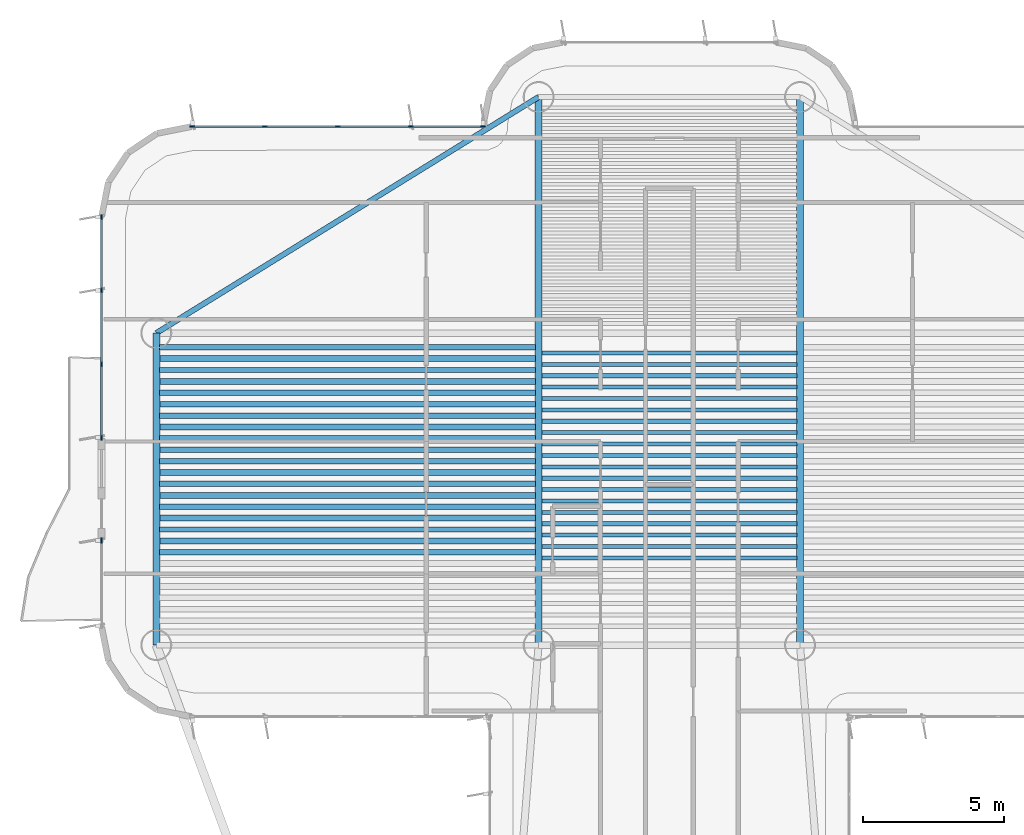
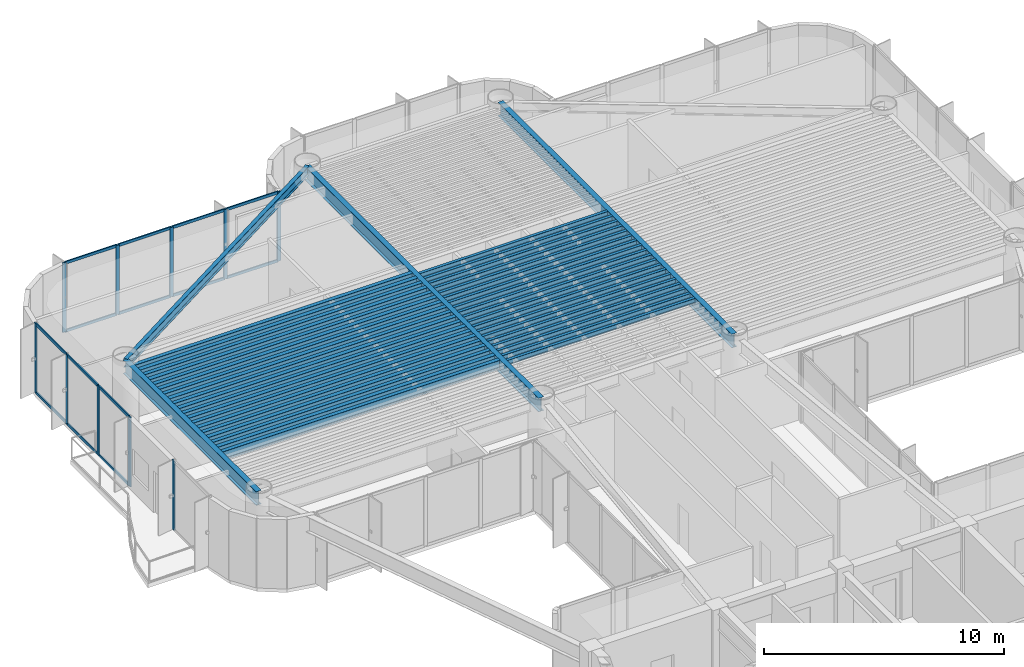
# One storey, part 5 of 14: 42 beams, 24 members, 3 elements without a shape of their own.
"""IFC4 building model written with IfcOpenShell, lengths in metres."""

from ifc_helpers import new_model, si_unit, direction, frame, origin, origin_2d, place, context, subcontext, project, spatial, rectangle, i_section, extrude, source, transform, mapped, material, layer, layer_set, material_profile, profile_set, type_object, element, aggregate, save


model = new_model("IFC4")

# Units and contexts
model_context = context("Model", 3, precision=1e-05, world=origin(), true_north=direction((0.0, 1.0)))
body_context = subcontext(model_context, "Body", "Model", "MODEL_VIEW")
ifc_project = project(units=[si_unit("LENGTHUNIT", "METRE"), si_unit("AREAUNIT", "SQUARE_METRE"), si_unit("VOLUMEUNIT", "CUBIC_METRE"), si_unit("PLANEANGLEUNIT", "RADIAN"), si_unit("MASSUNIT", "GRAM", prefix="KILO")], contexts=[model_context])

# Site, building, storey
site_placement = place(None, origin())
site = spatial("IfcSite", under=ifc_project, at=site_placement, CompositionType="ELEMENT")
building_placement = place(site_placement, origin())
building = spatial("IfcBuilding", under=site, at=building_placement, Name="Brelvock Crest Care Tower", CompositionType="ELEMENT")
storey_placement = place(building_placement, frame((0.0, 0.0, 198.0)))
storey = spatial("IfcBuildingStorey", under=building, at=storey_placement, Name="L50", CompositionType="ELEMENT", Elevation=198.0)

# Beams
ifc_material_1 = material(Name="Steel Grade 350", Category="steel")
ifc_material_profile_1 = material_profile(ifc_material_1, i_section(OverallWidth=0.14599609375, OverallDepth=0.256103515625, WebThickness=0.00634765625, FlangeThickness=0.010986328125, FilletRadius=0.0087890625, at=origin_2d()), Name="250UB37.3")
ifc_profile_set_1 = profile_set([ifc_material_profile_1], Name="Steel Grade 350")
beam_type_1 = type_object("IfcBeamType", Name="BM-J3", PredefinedType="JOIST", material=ifc_profile_set_1)
shared_shape_1 = source(origin(), body_context, "Body", "SweptSolid", [
    extrude(i_section(OverallWidth=0.14599609375, OverallDepth=0.256103515625, WebThickness=0.00634765625, FlangeThickness=0.010986328125, FilletRadius=0.0087890625, at=origin_2d()), origin(), (0.0, 0.0, 1.0), 9.06982421875),
])
for number, where, z_axis, x_axis, name in (
    (1, (31.465087890625, 38.0498046875, 3.402099609375), (1.0, 0.0, 0.0), (0.0, 1.0, 0.0), "BM-JH-L50-7"),
    (2, (31.465087890625, 38.454833984375, 3.402099609375), (1.0, 0.0, 0.0), (0.0, 1.0, 0.0), "BM-JH-L50-8"),
    (3, (31.465087890625, 38.860107421875, 3.402099609375), (1.0, 0.0, 0.0), (0.0, 1.0, 0.0), "BM-JH-L50-9"),
    (4, (31.465087890625, 39.26513671875, 3.402099609375), (1.0, 0.0, 0.0), (0.0, 1.0, 0.0), "BM-JH-L50-10"),
    (5, (31.465087890625, 39.67041015625, 3.402099609375), (1.0, 0.0, 0.0), (0.0, 1.0, 0.0), "BM-JH-L50-11"),
    (6, (31.465087890625, 40.075439453125, 3.402099609375), (1.0, 0.0, 0.0), (0.0, 1.0, 0.0), "BM-JH-L50-12"),
    (7, (31.465087890625, 40.480712890625, 3.402099609375), (1.0, 0.0, 0.0), (0.0, 1.0, 0.0), "BM-JH-L50-13"),
    (8, (31.465087890625, 40.8857421875, 3.402099609375), (1.0, 0.0, 0.0), (0.0, 1.0, 0.0), "BM-JH-L50-14"),
    (9, (31.465087890625, 41.291015625, 3.402099609375), (1.0, 0.0, 0.0), (0.0, 1.0, 0.0), "BM-JH-L50-15"),
    (10, (31.465087890625, 41.696044921875, 3.402099609375), (1.0, 0.0, 0.0), (0.0, 1.0, 0.0), "BM-JH-L50-16"),
    (11, (31.465087890625, 42.101318359375, 3.402099609375), (1.0, 0.0, 0.0), (0.0, 1.0, 0.0), "BM-JH-L50-17"),
    (12, (31.465087890625, 42.50634765625, 3.402099609375), (1.0, 0.0, 0.0), (0.0, 1.0, 0.0), "BM-JH-L50-18"),
    (13, (31.465087890625, 42.91162109375, 3.402099609375), (1.0, 0.0, 0.0), (0.0, 1.0, 0.0), "BM-JH-L50-19"),
    (14, (31.465087890625, 43.316650390625, 3.402099609375), (1.0, 0.0, 0.0), (0.0, 1.0, 0.0), "BM-JH-L50-20"),
    (15, (31.465087890625, 43.7216796875, 3.402099609375), (1.0, 0.0, 0.0), (0.0, 1.0, 0.0), "BM-JH-L50-21"),
    (16, (31.465087890625, 44.126953125, 3.402099609375), (1.0, 0.0, 0.0), (0.0, 1.0, 0.0), "BM-JH-L50-22"),
    (17, (31.465087890625, 44.531982421875, 3.402099609375), (1.0, 0.0, 0.0), (0.0, 1.0, 0.0), "BM-JH-L50-23"),
    (18, (31.465087890625, 44.937255859375, 3.402099609375), (1.0, 0.0, 0.0), (0.0, 1.0, 0.0), "BM-JH-L50-24"),
    (19, (31.465087890625, 45.34228515625, 3.402099609375), (1.0, 0.0, 0.0), (0.0, 1.0, 0.0), "BM-JH-L50-25"),
):
    element("IfcBeam", number, at=place(storey_placement, frame(where, z_axis=z_axis, x_axis=x_axis)), inside=storey, type_object=beam_type_1, Name=name, PredefinedType="JOIST", context=body_context, shape_type="MappedRepresentation", body=[
        mapped(shared_shape_1, transform((0.0, 0.0, 0.0), x_axis=(1.0, 0.0, 0.0), y_axis=(0.0, 1.0, 0.0), z_axis=(0.0, 0.0, 1.0), scale=1.0)),
    ])
ifc_material_profile_2 = material_profile(ifc_material_1, i_section(OverallWidth=0.208984375, OverallDepth=0.532958984375, WebThickness=0.01025390625, FlangeThickness=0.015625, FilletRadius=0.013916015625, at=origin_2d()), Name="530UB92.4")
ifc_profile_set_2 = profile_set([ifc_material_profile_2], Name="Steel Grade 350")
beam_type_2 = type_object("IfcBeamType", Name="BM-G2", PredefinedType="BEAM", material=ifc_profile_set_2)
shared_shape_2 = source(origin(), body_context, "Body", "SweptSolid", [
    extrude(i_section(OverallWidth=0.208984375, OverallDepth=0.532958984375, WebThickness=0.01025390625, FlangeThickness=0.015625, FilletRadius=0.013916015625, at=origin_2d()), origin(), (0.0, 0.0, 1.0), 13.3701171875),
])
for number, where, z_axis, x_axis, name in (
    (20, (17.864990234375, 38.657470703125, 3.263427734375), (1.0, 0.0, 0.0), (0.0, 1.0, 0.0), "BM-JW-L50-9"),
    (21, (17.864990234375, 39.4677734375, 3.263427734375), (1.0, 0.0, 0.0), (0.0, 1.0, 0.0), "BM-JW-L50-11"),
    (22, (17.864990234375, 40.278076171875, 3.263427734375), (1.0, 0.0, 0.0), (0.0, 1.0, 0.0), "BM-JW-L50-13"),
    (23, (17.864990234375, 41.08837890625, 3.263427734375), (1.0, 0.0, 0.0), (0.0, 1.0, 0.0), "BM-JW-L50-15"),
    (24, (17.864990234375, 41.898681640625, 3.263427734375), (1.0, 0.0, 0.0), (0.0, 1.0, 0.0), "BM-JW-L50-17"),
    (25, (17.864990234375, 42.708984375, 3.263427734375), (1.0, 0.0, 0.0), (0.0, 1.0, 0.0), "BM-JW-L50-19"),
    (26, (17.864990234375, 43.519287109375, 3.263427734375), (1.0, 0.0, 0.0), (0.0, 1.0, 0.0), "BM-JW-L50-21"),
    (27, (17.864990234375, 44.32958984375, 3.263427734375), (1.0, 0.0, 0.0), (0.0, 1.0, 0.0), "BM-JW-L50-23"),
    (28, (17.864990234375, 45.139892578125, 3.263427734375), (1.0, 0.0, 0.0), (0.0, 1.0, 0.0), "BM-JW-L50-25"),
):
    element("IfcBeam", number, at=place(storey_placement, frame(where, z_axis=z_axis, x_axis=x_axis)), inside=storey, type_object=beam_type_2, Name=name, PredefinedType="BEAM", context=body_context, shape_type="MappedRepresentation", body=[
        mapped(shared_shape_2, transform((0.0, 0.0, 0.0), x_axis=(1.0, 0.0, 0.0), y_axis=(0.0, 1.0, 0.0), z_axis=(0.0, 0.0, 1.0), scale=1.0)),
    ])
ifc_material_profile_3 = material_profile(ifc_material_1, i_section(OverallWidth=0.19091796875, OverallDepth=0.4599609375, WebThickness=0.010009765625, FlangeThickness=0.01611328125, FilletRadius=0.011474609375, at=origin_2d()), Name="460UB82.1")
ifc_profile_set_3 = profile_set([ifc_material_profile_3], Name="Steel Grade 350")
beam_type_3 = type_object("IfcBeamType", Name="BM-G3", PredefinedType="BEAM", material=ifc_profile_set_3)
shared_shape_3 = source(origin(), body_context, "Body", "SweptSolid", [
    extrude(i_section(OverallWidth=0.19091796875, OverallDepth=0.4599609375, WebThickness=0.010009765625, FlangeThickness=0.01611328125, FilletRadius=0.011474609375, at=origin_2d()), origin(), (0.0, 0.0, 1.0), 13.3701171875),
])
for number, where, z_axis, x_axis, name in (
    (29, (17.864990234375, 38.252197265625, 3.300048828125), (1.0, 0.0, 0.0), (0.0, 1.0, 0.0), "BM-JW-L50-8"),
    (30, (17.864990234375, 39.0625, 3.300048828125), (1.0, 0.0, 0.0), (0.0, 1.0, 0.0), "BM-JW-L50-10"),
    (31, (17.864990234375, 39.872802734375, 3.300048828125), (1.0, 0.0, 0.0), (0.0, 1.0, 0.0), "BM-JW-L50-12"),
    (32, (17.864990234375, 40.68310546875, 3.300048828125), (1.0, 0.0, 0.0), (0.0, 1.0, 0.0), "BM-JW-L50-14"),
    (33, (17.864990234375, 41.493408203125, 3.300048828125), (1.0, 0.0, 0.0), (0.0, 1.0, 0.0), "BM-JW-L50-16"),
    (34, (17.864990234375, 42.3037109375, 3.300048828125), (1.0, 0.0, 0.0), (0.0, 1.0, 0.0), "BM-JW-L50-18"),
    (35, (17.864990234375, 43.114013671875, 3.300048828125), (1.0, 0.0, 0.0), (0.0, 1.0, 0.0), "BM-JW-L50-20"),
    (36, (17.864990234375, 43.92431640625, 3.300048828125), (1.0, 0.0, 0.0), (0.0, 1.0, 0.0), "BM-JW-L50-22"),
    (37, (17.864990234375, 44.734619140625, 3.300048828125), (1.0, 0.0, 0.0), (0.0, 1.0, 0.0), "BM-JW-L50-24"),
    (38, (17.864990234375, 45.544921875, 3.300048828125), (1.0, 0.0, 0.0), (0.0, 1.0, 0.0), "BM-JW-L50-26"),
):
    element("IfcBeam", number, at=place(storey_placement, frame(where, z_axis=z_axis, x_axis=x_axis)), inside=storey, type_object=beam_type_3, Name=name, PredefinedType="BEAM", context=body_context, shape_type="MappedRepresentation", body=[
        mapped(shared_shape_3, transform((0.0, 0.0, 0.0), x_axis=(1.0, 0.0, 0.0), y_axis=(0.0, 1.0, 0.0), z_axis=(0.0, 0.0, 1.0), scale=1.0)),
    ])
ifc_material_profile_4 = material_profile(ifc_material_1, i_section(OverallWidth=0.25, OverallDepth=0.699951171875, WebThickness=0.011962890625, FlangeThickness=0.02001953125, at=origin_2d()), Name="700WB150")
ifc_profile_set_4 = profile_set([ifc_material_profile_4], Name="Steel Grade 350")
beam_type_4 = type_object("IfcBeamType", Name="BM-G4", PredefinedType="BEAM", material=ifc_profile_set_4)
shared_shape_4 = source(origin(), body_context, "Body", "SweptSolid", [
    extrude(i_section(OverallWidth=0.25, OverallDepth=0.699951171875, WebThickness=0.011962890625, FlangeThickness=0.02001953125, at=origin_2d()), origin(), (0.0, 0.0, 1.0), 11.10009765625),
])
beam_1_placement = place(storey_placement, frame((17.75, 34.949951171875, 3.179931640625), z_axis=(0.0, 1.0, 0.0), x_axis=(-1.0, 0.0, 0.0)))
element("IfcBeam", 39, at=beam_1_placement, inside=storey, type_object=beam_type_4, Name="BM-TWR-L50-01", PredefinedType="BEAM", context=body_context, shape_type="MappedRepresentation", body=[
    mapped(shared_shape_4, transform((0.0, 0.0, 0.0), x_axis=(1.0, 0.0, 0.0), y_axis=(0.0, 1.0, 0.0), z_axis=(0.0, 0.0, 1.0), scale=1.0)),
])
ifc_material_profile_5 = material_profile(ifc_material_1, i_section(OverallWidth=0.19091796875, OverallDepth=0.4599609375, WebThickness=0.010009765625, FlangeThickness=0.01611328125, FilletRadius=0.011474609375, at=origin_2d()), Name="460UB82.1")
ifc_profile_set_5 = profile_set([ifc_material_profile_5], Name="Steel Grade 350")
beam_type_5 = type_object("IfcBeamType", Name="BM-SP2", PredefinedType="SPANDREL", material=ifc_profile_set_5)
shared_shape_5 = source(origin(), body_context, "Body", "SweptSolid", [
    extrude(i_section(OverallWidth=0.19091796875, OverallDepth=0.4599609375, WebThickness=0.010009765625, FlangeThickness=0.01611328125, FilletRadius=0.011474609375, at=origin_2d()), origin(), (0.0, 0.0, 1.0), 15.985107421875),
])
beam_2_placement = place(storey_placement, frame((17.75, 46.050048828125, 3.300048828125), z_axis=(0.850802415717, 0.525485727124, 0.0), x_axis=(-0.525485727124, 0.850802415717, 0.0)))
element("IfcBeam", 40, at=beam_2_placement, inside=storey, type_object=beam_type_5, Name="BM-TWR-L50-06", PredefinedType="SPANDREL", context=body_context, shape_type="MappedRepresentation", body=[
    mapped(shared_shape_5, transform((0.0, 0.0, 0.0), x_axis=(1.0, 0.0, 0.0), y_axis=(0.0, 1.0, 0.0), z_axis=(0.0, 0.0, 1.0), scale=1.0)),
])
shared_shape_6 = source(origin(), body_context, "Body", "SweptSolid", [
    extrude(i_section(OverallWidth=0.25, OverallDepth=0.699951171875, WebThickness=0.011962890625, FlangeThickness=0.02001953125, at=origin_2d()), origin(), (0.0, 0.0, 1.0), 19.5),
])
for number, where, z_axis, x_axis, name in (
    (41, (31.35009765625, 34.949951171875, 3.179931640625), (0.0, 1.0, 0.0), (-1.0, 0.0, 0.0), "BM-TWR-L50-09"),
    (42, (40.64990234375, 34.949951171875, 3.179931640625), (0.0, 1.0, 0.0), (-1.0, 0.0, 0.0), "BM-TWR-L50-10"),
):
    element("IfcBeam", number, at=place(storey_placement, frame(where, z_axis=z_axis, x_axis=x_axis)), inside=storey, type_object=beam_type_4, Name=name, PredefinedType="BEAM", context=body_context, shape_type="MappedRepresentation", body=[
        mapped(shared_shape_6, transform((0.0, 0.0, 0.0), x_axis=(1.0, 0.0, 0.0), y_axis=(0.0, 1.0, 0.0), z_axis=(0.0, 0.0, 1.0), scale=1.0)),
    ])

# Curtain wall, member
ifc_material_2 = material(Name="Dark Glass Double Glazed Low-E", Category="glass")
ifc_layer = layer(ifc_material_2, 0.22509765625, Name="CWS-4")
ifc_layer_set = layer_set([ifc_layer], Name="Dark Glass Double Glazed Low-E")
curtain_wall_type = type_object("IfcCurtainWallType", Name="CWS-4", PredefinedType="NOTDEFINED", material=ifc_layer_set)
curtain_wall_1_placement = place(storey_placement, origin())
curtain_wall_1 = element("IfcCurtainWall", 43, at=curtain_wall_1_placement, inside=storey, type_object=curtain_wall_type, Name="L50 Curtain Wall E17A", PredefinedType="NOTDEFINED")
ifc_material_3 = material(Name="Aluminium 6063-T6", Category="aluminium")
ifc_material_profile_6 = material_profile(ifc_material_3, rectangle(XDim=0.06005859375, YDim=0.179931640625, at=origin_2d()), Name="ALU60x180")
ifc_profile_set_6 = profile_set([ifc_material_profile_6], Name="Aluminium 6063-T6")
member_type_1 = type_object("IfcMemberType", Name="CWM-2", PredefinedType="MULLION", material=ifc_profile_set_6)
shared_shape_7 = source(origin(), body_context, "Body", "SweptSolid", [
    extrude(rectangle(XDim=0.06005859375, YDim=0.179931640625, at=origin_2d()), origin(), (0.0, 0.0, 1.0), 3.530029296875),
])
member_1_placement = place(storey_placement, frame((15.800048828125, 38.669921875, 0.0), z_axis=(0.0, 0.0, 1.0), x_axis=(-1.0, 0.0, 0.0)))
member_1 = element("IfcMember", 44, at=member_1_placement, type_object=member_type_1, Name="CW-4 mullion 2", PredefinedType="MULLION", context=body_context, shape_type="MappedRepresentation", body=[
    mapped(shared_shape_7, transform((0.0, 0.0, 0.0), x_axis=(1.0, 0.0, 0.0), y_axis=(0.0, 1.0, 0.0), z_axis=(0.0, 0.0, 1.0), scale=1.0)),
])
aggregate(curtain_wall_1, [member_1])

# Curtain wall, members
curtain_wall_2_placement = place(storey_placement, origin())
curtain_wall_2 = element("IfcCurtainWall", 45, at=curtain_wall_2_placement, inside=storey, type_object=curtain_wall_type, Name="L50 Curtain Wall E17B", PredefinedType="NOTDEFINED")
member_2_placement = place(storey_placement, frame((15.800048828125, 42.330078125, 0.0), z_axis=(0.0, 0.0, 1.0), x_axis=(-1.0, 0.0, 0.0)))
member_2 = element("IfcMember", 46, at=member_2_placement, type_object=member_type_1, Name="CW-4 mullion 1", PredefinedType="MULLION", context=body_context, shape_type="MappedRepresentation", body=[
    mapped(shared_shape_7, transform((0.0, 0.0, 0.0), x_axis=(1.0, 0.0, 0.0), y_axis=(0.0, 1.0, 0.0), z_axis=(0.0, 0.0, 1.0), scale=1.0)),
])
member_3_placement = place(storey_placement, frame((15.800048828125, 44.933349609375, 0.0), z_axis=(0.0, 0.0, 1.0), x_axis=(-1.0, 0.0, 0.0)))
member_3 = element("IfcMember", 47, at=member_3_placement, type_object=member_type_1, Name="CW-4 mullion 2", PredefinedType="MULLION", context=body_context, shape_type="MappedRepresentation", body=[
    mapped(shared_shape_7, transform((0.0, 0.0, 0.0), x_axis=(1.0, 0.0, 0.0), y_axis=(0.0, 1.0, 0.0), z_axis=(0.0, 0.0, 1.0), scale=1.0)),
])
member_4_placement = place(storey_placement, frame((15.800048828125, 47.566650390625, 0.0), z_axis=(0.0, 0.0, 1.0), x_axis=(-1.0, 0.0, 0.0)))
member_4 = element("IfcMember", 48, at=member_4_placement, type_object=member_type_1, Name="CW-4 mullion 3", PredefinedType="MULLION", context=body_context, shape_type="MappedRepresentation", body=[
    mapped(shared_shape_7, transform((0.0, 0.0, 0.0), x_axis=(1.0, 0.0, 0.0), y_axis=(0.0, 1.0, 0.0), z_axis=(0.0, 0.0, 1.0), scale=1.0)),
])
member_5_placement = place(storey_placement, frame((15.800048828125, 50.169921875, 0.0), z_axis=(0.0, 0.0, 1.0), x_axis=(-1.0, 0.0, 0.0)))
member_5 = element("IfcMember", 49, at=member_5_placement, type_object=member_type_1, Name="CW-4 mullion 4", PredefinedType="MULLION", context=body_context, shape_type="MappedRepresentation", body=[
    mapped(shared_shape_7, transform((0.0, 0.0, 0.0), x_axis=(1.0, 0.0, 0.0), y_axis=(0.0, 1.0, 0.0), z_axis=(0.0, 0.0, 1.0), scale=1.0)),
])

curtain_wall_3_placement = place(storey_placement, origin())
curtain_wall_3 = element("IfcCurtainWall", 50, at=curtain_wall_3_placement, inside=storey, type_object=curtain_wall_type, Name="L50 Curtain Wall E22", PredefinedType="NOTDEFINED")
member_6_placement = place(storey_placement, frame((19.030029296875, 53.39990234375, 0.0), z_axis=(0.0, 0.0, 1.0), x_axis=(0.0, 1.0, 0.0)))
member_6 = element("IfcMember", 51, at=member_6_placement, type_object=member_type_1, Name="CW-4 mullion 1", PredefinedType="MULLION", context=body_context, shape_type="MappedRepresentation", body=[
    mapped(shared_shape_7, transform((0.0, 0.0, 0.0), x_axis=(1.0, 0.0, 0.0), y_axis=(0.0, 1.0, 0.0), z_axis=(0.0, 0.0, 1.0), scale=1.0)),
])
member_7_placement = place(storey_placement, frame((21.60009765625, 53.39990234375, 0.0), z_axis=(0.0, 0.0, 1.0), x_axis=(0.0, 1.0, 0.0)))
member_7 = element("IfcMember", 52, at=member_7_placement, type_object=member_type_1, Name="CW-4 mullion 2", PredefinedType="MULLION", context=body_context, shape_type="MappedRepresentation", body=[
    mapped(shared_shape_7, transform((0.0, 0.0, 0.0), x_axis=(1.0, 0.0, 0.0), y_axis=(0.0, 1.0, 0.0), z_axis=(0.0, 0.0, 1.0), scale=1.0)),
])
member_8_placement = place(storey_placement, frame((24.199951171875, 53.39990234375, 0.0), z_axis=(0.0, 0.0, 1.0), x_axis=(0.0, 1.0, 0.0)))
member_8 = element("IfcMember", 53, at=member_8_placement, type_object=member_type_1, Name="CW-4 mullion 3", PredefinedType="MULLION", context=body_context, shape_type="MappedRepresentation", body=[
    mapped(shared_shape_7, transform((0.0, 0.0, 0.0), x_axis=(1.0, 0.0, 0.0), y_axis=(0.0, 1.0, 0.0), z_axis=(0.0, 0.0, 1.0), scale=1.0)),
])
member_9_placement = place(storey_placement, frame((26.800048828125, 53.39990234375, 0.0), z_axis=(0.0, 0.0, 1.0), x_axis=(0.0, 1.0, 0.0)))
member_9 = element("IfcMember", 54, at=member_9_placement, type_object=member_type_1, Name="CW-4 mullion 4", PredefinedType="MULLION", context=body_context, shape_type="MappedRepresentation", body=[
    mapped(shared_shape_7, transform((0.0, 0.0, 0.0), x_axis=(1.0, 0.0, 0.0), y_axis=(0.0, 1.0, 0.0), z_axis=(0.0, 0.0, 1.0), scale=1.0)),
])
member_10_placement = place(storey_placement, frame((29.3701171875, 53.39990234375, 0.0), z_axis=(0.0, 0.0, 1.0), x_axis=(0.0, 1.0, 0.0)))
member_10 = element("IfcMember", 55, at=member_10_placement, type_object=member_type_1, Name="CW-4 mullion 5", PredefinedType="MULLION", context=body_context, shape_type="MappedRepresentation", body=[
    mapped(shared_shape_7, transform((0.0, 0.0, 0.0), x_axis=(1.0, 0.0, 0.0), y_axis=(0.0, 1.0, 0.0), z_axis=(0.0, 0.0, 1.0), scale=1.0)),
])
ifc_material_profile_7 = material_profile(ifc_material_3, rectangle(XDim=0.06005859375, YDim=0.139892578125, at=origin_2d()), Name="ALU60x140")
ifc_profile_set_7 = profile_set([ifc_material_profile_7], Name="Aluminium 6063-T6")
member_type_2 = type_object("IfcMemberType", Name="CWT-2", PredefinedType="USERDEFINED", material=ifc_profile_set_7)
shared_shape_8 = source(origin(), body_context, "Body", "SweptSolid", [
    extrude(rectangle(XDim=0.06005859375, YDim=0.139892578125, at=origin_2d()), origin(), (0.0, 0.0, 1.0), 2.510009765625),
])
member_11_placement = place(storey_placement, frame((19.06005859375, 53.39990234375, 0.030029296875), z_axis=(1.0, 0.0, 0.0), x_axis=(0.0, 1.0, 0.0)))
member_11 = element("IfcMember", 56, at=member_11_placement, type_object=member_type_2, Name="CW-4 transom 1.1", ObjectType="TRANSOM", PredefinedType="USERDEFINED", context=body_context, shape_type="MappedRepresentation", body=[
    mapped(shared_shape_8, transform((0.0, 0.0, 0.0), x_axis=(1.0, 0.0, 0.0), y_axis=(0.0, 1.0, 0.0), z_axis=(0.0, 0.0, 1.0), scale=1.0)),
])
member_12_placement = place(storey_placement, frame((19.06005859375, 53.39990234375, 3.5), z_axis=(1.0, 0.0, 0.0), x_axis=(0.0, 1.0, 0.0)))
member_12 = element("IfcMember", 57, at=member_12_placement, type_object=member_type_2, Name="CW-4 transom 1.2", ObjectType="TRANSOM", PredefinedType="USERDEFINED", context=body_context, shape_type="MappedRepresentation", body=[
    mapped(shared_shape_8, transform((0.0, 0.0, 0.0), x_axis=(1.0, 0.0, 0.0), y_axis=(0.0, 1.0, 0.0), z_axis=(0.0, 0.0, 1.0), scale=1.0)),
])
member_13_placement = place(storey_placement, frame((26.830078125, 53.39990234375, 0.030029296875), z_axis=(1.0, 0.0, 0.0), x_axis=(0.0, 1.0, 0.0)))
member_13 = element("IfcMember", 58, at=member_13_placement, type_object=member_type_2, Name="CW-4 transom 4.1", ObjectType="TRANSOM", PredefinedType="USERDEFINED", context=body_context, shape_type="MappedRepresentation", body=[
    mapped(shared_shape_8, transform((0.0, 0.0, 0.0), x_axis=(1.0, 0.0, 0.0), y_axis=(0.0, 1.0, 0.0), z_axis=(0.0, 0.0, 1.0), scale=1.0)),
])
member_14_placement = place(storey_placement, frame((26.830078125, 53.39990234375, 3.5), z_axis=(1.0, 0.0, 0.0), x_axis=(0.0, 1.0, 0.0)))
member_14 = element("IfcMember", 59, at=member_14_placement, type_object=member_type_2, Name="CW-4 transom 4.2", ObjectType="TRANSOM", PredefinedType="USERDEFINED", context=body_context, shape_type="MappedRepresentation", body=[
    mapped(shared_shape_8, transform((0.0, 0.0, 0.0), x_axis=(1.0, 0.0, 0.0), y_axis=(0.0, 1.0, 0.0), z_axis=(0.0, 0.0, 1.0), scale=1.0)),
])
shared_shape_9 = source(origin(), body_context, "Body", "SweptSolid", [
    extrude(rectangle(XDim=0.06005859375, YDim=0.139892578125, at=origin_2d()), origin(), (0.0, 0.0, 1.0), 2.5400390625),
])
member_15_placement = place(storey_placement, frame((21.6298828125, 53.39990234375, 0.030029296875), z_axis=(1.0, 0.0, 0.0), x_axis=(0.0, 1.0, 0.0)))
member_15 = element("IfcMember", 60, at=member_15_placement, type_object=member_type_2, Name="CW-4 transom 2.1", ObjectType="TRANSOM", PredefinedType="USERDEFINED", context=body_context, shape_type="MappedRepresentation", body=[
    mapped(shared_shape_9, transform((0.0, 0.0, 0.0), x_axis=(1.0, 0.0, 0.0), y_axis=(0.0, 1.0, 0.0), z_axis=(0.0, 0.0, 1.0), scale=1.0)),
])
member_16_placement = place(storey_placement, frame((21.6298828125, 53.39990234375, 3.5), z_axis=(1.0, 0.0, 0.0), x_axis=(0.0, 1.0, 0.0)))
member_16 = element("IfcMember", 61, at=member_16_placement, type_object=member_type_2, Name="CW-4 transom 2.2", ObjectType="TRANSOM", PredefinedType="USERDEFINED", context=body_context, shape_type="MappedRepresentation", body=[
    mapped(shared_shape_9, transform((0.0, 0.0, 0.0), x_axis=(1.0, 0.0, 0.0), y_axis=(0.0, 1.0, 0.0), z_axis=(0.0, 0.0, 1.0), scale=1.0)),
])
member_17_placement = place(storey_placement, frame((24.22998046875, 53.39990234375, 0.030029296875), z_axis=(1.0, 0.0, 0.0), x_axis=(0.0, 1.0, 0.0)))
member_17 = element("IfcMember", 62, at=member_17_placement, type_object=member_type_2, Name="CW-4 transom 3.1", ObjectType="TRANSOM", PredefinedType="USERDEFINED", context=body_context, shape_type="MappedRepresentation", body=[
    mapped(shared_shape_9, transform((0.0, 0.0, 0.0), x_axis=(1.0, 0.0, 0.0), y_axis=(0.0, 1.0, 0.0), z_axis=(0.0, 0.0, 1.0), scale=1.0)),
])
member_18_placement = place(storey_placement, frame((24.22998046875, 53.39990234375, 3.5), z_axis=(1.0, 0.0, 0.0), x_axis=(0.0, 1.0, 0.0)))
member_18 = element("IfcMember", 63, at=member_18_placement, type_object=member_type_2, Name="CW-4 transom 3.2", ObjectType="TRANSOM", PredefinedType="USERDEFINED", context=body_context, shape_type="MappedRepresentation", body=[
    mapped(shared_shape_9, transform((0.0, 0.0, 0.0), x_axis=(1.0, 0.0, 0.0), y_axis=(0.0, 1.0, 0.0), z_axis=(0.0, 0.0, 1.0), scale=1.0)),
])
aggregate(curtain_wall_3, [member_6, member_7, member_8, member_9, member_10, member_11, member_12, member_15, member_16, member_17, member_18, member_13, member_14])

# Member
shared_shape_10 = source(origin(), body_context, "Body", "SweptSolid", [
    extrude(rectangle(XDim=0.06005859375, YDim=0.139892578125, at=origin_2d()), origin(), (0.0, 0.0, 1.0), 2.543212890625),
])
member_19_placement = place(storey_placement, frame((15.800048828125, 42.360107421875, 0.030029296875), z_axis=(0.0, 1.0, 0.0), x_axis=(-1.0, 0.0, 0.0)))
member_19 = element("IfcMember", 64, at=member_19_placement, type_object=member_type_2, Name="CW-4 transom 1.1", ObjectType="TRANSOM", PredefinedType="USERDEFINED", context=body_context, shape_type="MappedRepresentation", body=[
    mapped(shared_shape_10, transform((0.0, 0.0, 0.0), x_axis=(1.0, 0.0, 0.0), y_axis=(0.0, 1.0, 0.0), z_axis=(0.0, 0.0, 1.0), scale=1.0)),
])

member_20_placement = place(storey_placement, frame((15.800048828125, 42.360107421875, 3.5), z_axis=(0.0, 1.0, 0.0), x_axis=(-1.0, 0.0, 0.0)))
member_20 = element("IfcMember", 65, at=member_20_placement, type_object=member_type_2, Name="CW-4 transom 1.2", ObjectType="TRANSOM", PredefinedType="USERDEFINED", context=body_context, shape_type="MappedRepresentation", body=[
    mapped(shared_shape_10, transform((0.0, 0.0, 0.0), x_axis=(1.0, 0.0, 0.0), y_axis=(0.0, 1.0, 0.0), z_axis=(0.0, 0.0, 1.0), scale=1.0)),
])

member_21_placement = place(storey_placement, frame((15.800048828125, 47.5966796875, 0.030029296875), z_axis=(0.0, 1.0, 0.0), x_axis=(-1.0, 0.0, 0.0)))
member_21 = element("IfcMember", 66, at=member_21_placement, type_object=member_type_2, Name="CW-4 transom 3.1", ObjectType="TRANSOM", PredefinedType="USERDEFINED", context=body_context, shape_type="MappedRepresentation", body=[
    mapped(shared_shape_10, transform((0.0, 0.0, 0.0), x_axis=(1.0, 0.0, 0.0), y_axis=(0.0, 1.0, 0.0), z_axis=(0.0, 0.0, 1.0), scale=1.0)),
])

member_22_placement = place(storey_placement, frame((15.800048828125, 47.5966796875, 3.5), z_axis=(0.0, 1.0, 0.0), x_axis=(-1.0, 0.0, 0.0)))
member_22 = element("IfcMember", 67, at=member_22_placement, type_object=member_type_2, Name="CW-4 transom 3.2", ObjectType="TRANSOM", PredefinedType="USERDEFINED", context=body_context, shape_type="MappedRepresentation", body=[
    mapped(shared_shape_10, transform((0.0, 0.0, 0.0), x_axis=(1.0, 0.0, 0.0), y_axis=(0.0, 1.0, 0.0), z_axis=(0.0, 0.0, 1.0), scale=1.0)),
])

shared_shape_11 = source(origin(), body_context, "Body", "SweptSolid", [
    extrude(rectangle(XDim=0.06005859375, YDim=0.139892578125, at=origin_2d()), origin(), (0.0, 0.0, 1.0), 2.5732421875),
])
member_23_placement = place(storey_placement, frame((15.800048828125, 44.96337890625, 0.030029296875), z_axis=(0.0, 1.0, 0.0), x_axis=(-1.0, 0.0, 0.0)))
member_23 = element("IfcMember", 68, at=member_23_placement, type_object=member_type_2, Name="CW-4 transom 2.1", ObjectType="TRANSOM", PredefinedType="USERDEFINED", context=body_context, shape_type="MappedRepresentation", body=[
    mapped(shared_shape_11, transform((0.0, 0.0, 0.0), x_axis=(1.0, 0.0, 0.0), y_axis=(0.0, 1.0, 0.0), z_axis=(0.0, 0.0, 1.0), scale=1.0)),
])

member_24_placement = place(storey_placement, frame((15.800048828125, 44.96337890625, 3.5), z_axis=(0.0, 1.0, 0.0), x_axis=(-1.0, 0.0, 0.0)))
member_24 = element("IfcMember", 69, at=member_24_placement, type_object=member_type_2, Name="CW-4 transom 2.2", ObjectType="TRANSOM", PredefinedType="USERDEFINED", context=body_context, shape_type="MappedRepresentation", body=[
    mapped(shared_shape_11, transform((0.0, 0.0, 0.0), x_axis=(1.0, 0.0, 0.0), y_axis=(0.0, 1.0, 0.0), z_axis=(0.0, 0.0, 1.0), scale=1.0)),
])

aggregate(curtain_wall_2, [member_2, member_3, member_4, member_5, member_19, member_20, member_23, member_24, member_21, member_22])

save(model, "model.ifc")
